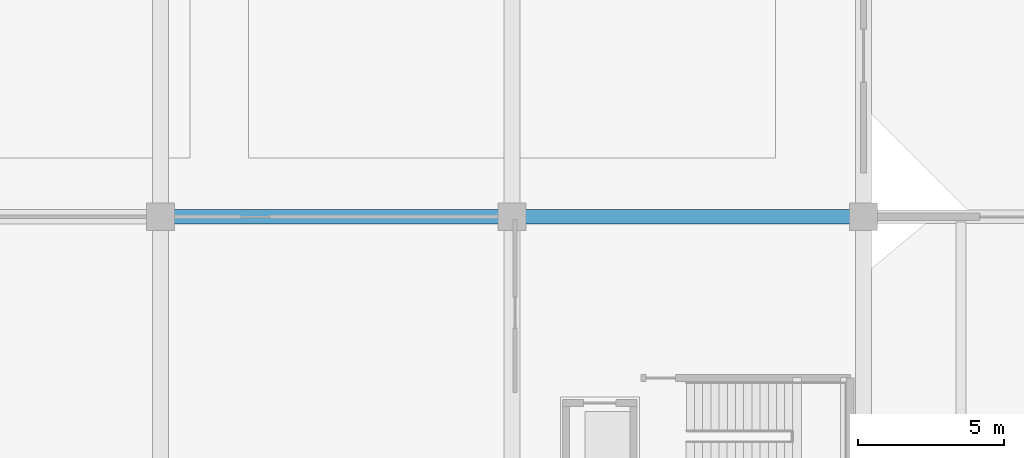
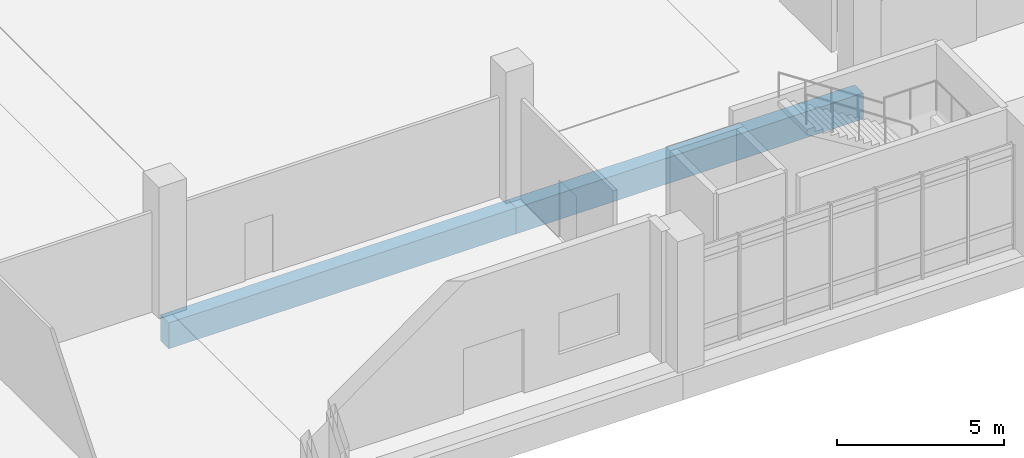
# One storey, part 21 of 87: 2 beams.
"""IFC4 building model written with IfcOpenShell, lengths in metres."""

from ifc_helpers import new_model, si_unit, direction, frame, origin, origin_2d, place, context, subcontext, project, spatial, rectangle, extrude, material, material_profile, profile_set, type_object, element, save


model = new_model("IFC4")

# Units and contexts
model_context = context("Model", 3, precision=1e-05, world=origin(), true_north=direction((0.0, 1.0)))
body_context = subcontext(model_context, "Body", "Model", "MODEL_VIEW")
ifc_project = project(units=[si_unit("LENGTHUNIT", "METRE"), si_unit("AREAUNIT", "SQUARE_METRE"), si_unit("VOLUMEUNIT", "CUBIC_METRE"), si_unit("PLANEANGLEUNIT", "RADIAN"), si_unit("MASSUNIT", "GRAM", prefix="KILO")], contexts=[model_context])

# Site, building, storey
site_placement = place(None, origin())
site = spatial("IfcSite", under=ifc_project, at=site_placement, CompositionType="ELEMENT")
building_placement = place(site_placement, origin())
building = spatial("IfcBuilding", under=site, at=building_placement, Name="Mersad Railyard Sports Hall", CompositionType="ELEMENT")
storey_placement = place(building_placement, origin())
storey = spatial("IfcBuildingStorey", under=building, at=storey_placement, Name="L00", CompositionType="ELEMENT", Elevation=0.0)

# Beams
ifc_material = material(Name="Concrete C50/60", Category="concrete")
ifc_material_profile = material_profile(ifc_material, rectangle(XDim=0.5, YDim=0.949951171875, at=origin_2d()), Name="RC 500x950")
ifc_profile_set = profile_set([ifc_material_profile], Name="Concrete C50/60")
beam_type = type_object("IfcBeamType", Name="STR-BM-B03", PredefinedType="BEAM", material=ifc_profile_set)
for number, where, z_axis, x_axis, name in (
    (1, (67.0, 13.5, -0.925048828125), (1.0, 0.0, 0.0), (0.0, 1.0, 0.0), "Beam B03-0013"),
    (2, (79.0, 13.5, -0.925048828125), (1.0, 0.0, 0.0), (0.0, 1.0, 0.0), "Beam B03-0014"),
):
    element("IfcBeam", number, at=place(storey_placement, frame(where, z_axis=z_axis, x_axis=x_axis)), inside=storey, type_object=beam_type, Name=name, PredefinedType="BEAM", context=body_context, shape_type="SweptSolid", body=[
        extrude(rectangle(XDim=0.5, YDim=0.949951171875, at=origin_2d()), origin(), (0.0, 0.0, 1.0), 12.0),
    ])

save(model, "model.ifc")
